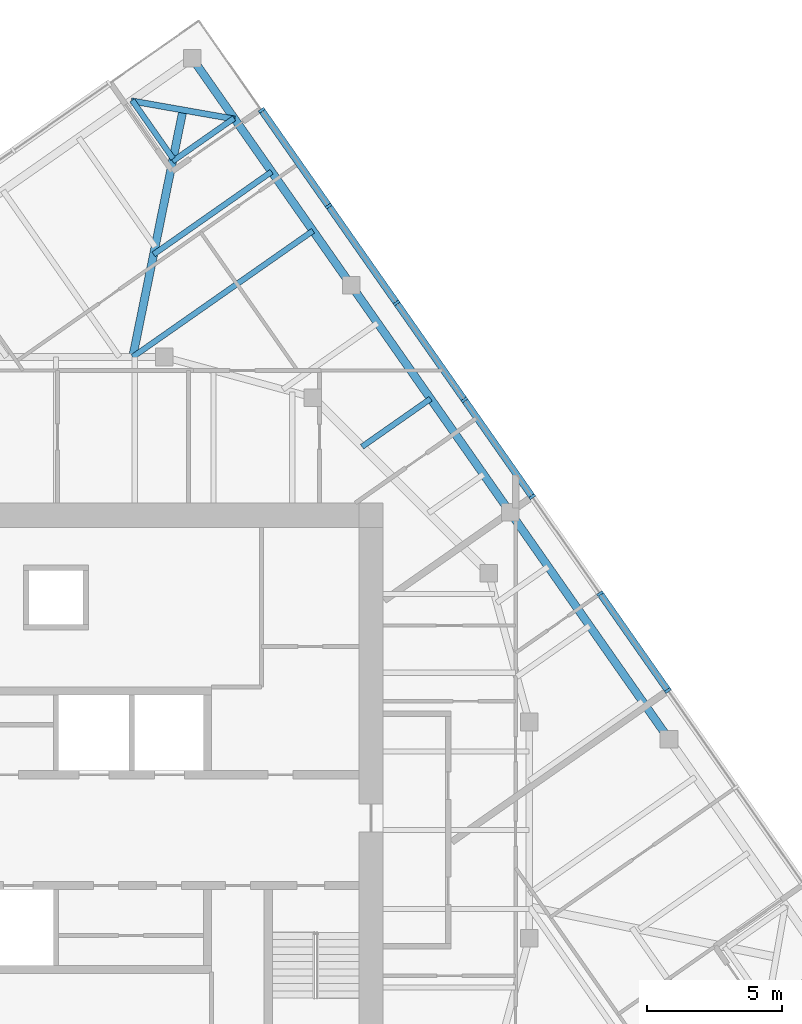
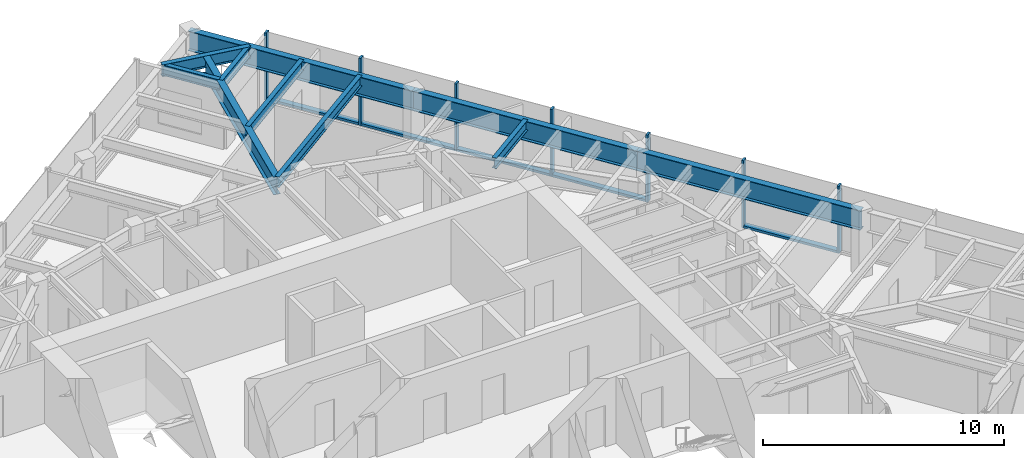
# One storey, part 5 of 12: 12 members, 10 beams, 1 element without a shape of its own.
"""IFC4 building model written with IfcOpenShell, lengths in metres."""

from ifc_helpers import new_model, si_unit, direction, frame, origin, origin_2d, place, context, subcontext, project, spatial, rectangle, i_section, extrude, material, material_profile, profile_set, type_object, element, aggregate, save


model = new_model("IFC4")

# Units and contexts
model_context = context("Model", 3, precision=1e-05, world=origin(), true_north=direction((0.0, 1.0)))
body_context = subcontext(model_context, "Body", "Model", "MODEL_VIEW")
ifc_project = project(units=[si_unit("LENGTHUNIT", "METRE"), si_unit("AREAUNIT", "SQUARE_METRE"), si_unit("VOLUMEUNIT", "CUBIC_METRE"), si_unit("PLANEANGLEUNIT", "RADIAN"), si_unit("MASSUNIT", "GRAM", prefix="KILO")], contexts=[model_context])

# Site, building, storey
site_placement = place(None, origin())
site = spatial("IfcSite", under=ifc_project, at=site_placement, CompositionType="ELEMENT")
building_placement = place(site_placement, origin())
building = spatial("IfcBuilding", under=site, at=building_placement, Name="Torsade Residences", CompositionType="ELEMENT")
storey_placement = place(building_placement, frame((0.0, 0.0, 240.39990234375)))
storey = spatial("IfcBuildingStorey", under=building, at=storey_placement, Name="L66", CompositionType="ELEMENT", Elevation=240.39990234375)

# Beams
ifc_material_1 = material(Name="Steel grade 300", Category="steel")
ifc_material_profile_1 = material_profile(ifc_material_1, i_section(OverallWidth=0.300048828125, OverallDepth=0.89990234375, WebThickness=0.011962890625, FlangeThickness=0.02490234375, at=origin_2d()), Name="900WB175")
ifc_profile_set_1 = profile_set([ifc_material_profile_1], Name="Steel grade 300")
beam_type_1 = type_object("IfcBeamType", Name="CORNER GIRDER 900WB175", PredefinedType="BEAM", material=ifc_profile_set_1)
beam_1_placement = place(storey_placement, frame((44.696533203125, 56.635986328125, 2.800048828125), z_axis=(-0.199584461589, -0.979880626756, 0.0), x_axis=(0.979880626756, -0.199584461589, 0.0)))
element("IfcBeam", 1, at=beam_1_placement, inside=storey, type_object=beam_type_1, Name="Corner girder 09 L67", PredefinedType="BEAM", context=body_context, shape_type="SweptSolid", body=[
    extrude(i_section(OverallWidth=0.300048828125, OverallDepth=0.89990234375, WebThickness=0.011962890625, FlangeThickness=0.02490234375, at=origin_2d()), origin(), (0.0, 0.0, 1.0), 9.323486328125),
])
ifc_material_2 = material(Name="Steel grade 300", Category="steel")
ifc_material_profile_2 = material_profile(ifc_material_2, i_section(OverallWidth=0.22802734375, OverallDepth=0.60205078125, WebThickness=0.010498046875, FlangeThickness=0.014892578125, FilletRadius=0.013916015625, at=origin_2d()), Name="610UB101")
ifc_profile_set_2 = profile_set([ifc_material_profile_2], Name="Steel grade 300")
beam_type_2 = type_object("IfcBeamType", Name="CORNER TRIMMER 610UB101", PredefinedType="BEAM", material=ifc_profile_set_2)
beam_2_placement = place(storey_placement, frame((42.78173828125, 56.9736328125, 2.94921875), z_axis=(0.984808196894, -0.173645660267, 0.0), x_axis=(0.173645660267, 0.984808196894, 0.0)))
element("IfcBeam", 2, at=beam_2_placement, inside=storey, type_object=beam_type_2, Name="Corner trimmer 09 L67", PredefinedType="BEAM", context=body_context, shape_type="SweptSolid", body=[
    extrude(i_section(OverallWidth=0.22802734375, OverallDepth=0.60205078125, WebThickness=0.010498046875, FlangeThickness=0.014892578125, FilletRadius=0.013916015625, at=origin_2d()), origin(), (0.0, 0.0, 1.0), 3.888916015625),
])
ifc_material_3 = material(Name="Steel grade 300", Category="steel")
ifc_material_profile_3 = material_profile(ifc_material_3, i_section(OverallWidth=0.300048828125, OverallDepth=1.0, WebThickness=0.01611328125, FlangeThickness=0.028076171875, at=origin_2d()), Name="1000WB215")
ifc_profile_set_3 = profile_set([ifc_material_profile_3], Name="Steel grade 300")
beam_type_3 = type_object("IfcBeamType", Name="EDGE BEAM 1000WB215", PredefinedType="SPANDREL", material=ifc_profile_set_3)
for number, where, z_axis, x_axis, name in (
    (3, (62.671875, 33.362060546875, 2.75), (-0.573579034377, 0.819150225126, 0.0), (-0.819150225126, -0.573579034377, 0.0), "Edge beam 06 L67"),
    (4, (56.792724609375, 41.75830078125, 2.75), (-0.573579034377, 0.819150225126, 0.0), (-0.819150225126, -0.573579034377, 0.0), "Edge beam 07 L67"),
):
    element("IfcBeam", number, at=place(storey_placement, frame(where, z_axis=z_axis, x_axis=x_axis)), inside=storey, type_object=beam_type_3, Name=name, PredefinedType="SPANDREL", context=body_context, shape_type="SweptSolid", body=[
        extrude(i_section(OverallWidth=0.300048828125, OverallDepth=1.0, WebThickness=0.01611328125, FlangeThickness=0.028076171875, at=origin_2d()), origin(), (0.0, 0.0, 1.0), 10.25),
    ])
beam_3_placement = place(storey_placement, frame((50.91357421875, 50.154541015625, 2.75), z_axis=(-0.573583825578, 0.819146870247, 0.0), x_axis=(-0.819146870247, -0.573583825578, 0.0)))
element("IfcBeam", 5, at=beam_3_placement, inside=storey, type_object=beam_type_3, Name="Edge beam 08 L67", PredefinedType="SPANDREL", context=body_context, shape_type="SweptSolid", body=[
    extrude(i_section(OverallWidth=0.300048828125, OverallDepth=1.0, WebThickness=0.01611328125, FlangeThickness=0.028076171875, at=origin_2d()), origin(), (0.0, 0.0, 1.0), 10.250244140625),
])

# Curtain wall, members
ifc_material_4 = material(Name="Aluminium and glass", Category="aluminium")
curtain_wall_type = type_object("IfcCurtainWallType", Name="FRITTED GLASS CURTAIN WALL HIGH ZONE", PredefinedType="NOTDEFINED", material=ifc_material_4)
curtain_wall_placement = place(storey_placement, origin())
curtain_wall = element("IfcCurtainWall", 6, at=curtain_wall_placement, inside=storey, type_object=curtain_wall_type, Name="Curtain wall L66 face 4", PredefinedType="NOTDEFINED")
ifc_material_5 = material(Name="Aluminium mullion", Category="aluminium")
ifc_material_profile_4 = material_profile(ifc_material_5, rectangle(XDim=0.25, YDim=0.10009765625, at=origin_2d()), Name="HIGH ZONE CURTAIN WALL MULLION 250x100")
ifc_profile_set_4 = profile_set([ifc_material_profile_4], Name="Aluminium mullion")
member_type_1 = type_object("IfcMemberType", Name="HIGH ZONE CURTAIN WALL MULLION 250x100", PredefinedType="MULLION", material=ifc_profile_set_4)
member_1_placement = place(storey_placement, frame((62.630615234375, 35.164306640625, 0.0), z_axis=(0.0, 0.0, 1.0), x_axis=(-0.819152029353, -0.573576457682, 0.0)))
member_1 = element("IfcMember", 7, at=member_1_placement, type_object=member_type_1, Name="Mullion 3", PredefinedType="MULLION", context=body_context, shape_type="SweptSolid", body=[
    extrude(rectangle(XDim=0.25, YDim=0.10009765625, at=origin_2d()), origin(), (0.0, 0.0, 1.0), 3.400146484375),
])
member_2_placement = place(storey_placement, frame((60.12109375, 38.748046875, 0.0), z_axis=(0.0, 0.0, 1.0), x_axis=(-0.819152029353, -0.573576457682, 0.0)))
member_2 = element("IfcMember", 8, at=member_2_placement, type_object=member_type_1, Name="Mullion 4", PredefinedType="MULLION", context=body_context, shape_type="SweptSolid", body=[
    extrude(rectangle(XDim=0.25, YDim=0.10009765625, at=origin_2d()), origin(), (0.0, 0.0, 1.0), 3.400146484375),
])
member_3_placement = place(storey_placement, frame((57.61181640625, 42.331787109375, 0.0), z_axis=(0.0, 0.0, 1.0), x_axis=(-0.819152029353, -0.573576457682, 0.0)))
member_3 = element("IfcMember", 9, at=member_3_placement, type_object=member_type_1, Name="Mullion 5", PredefinedType="MULLION", context=body_context, shape_type="SweptSolid", body=[
    extrude(rectangle(XDim=0.25, YDim=0.10009765625, at=origin_2d()), origin(), (0.0, 0.0, 1.0), 3.400146484375),
])
member_4_placement = place(storey_placement, frame((55.102294921875, 45.915771484375, 0.0), z_axis=(0.0, 0.0, 1.0), x_axis=(-0.819152029353, -0.573576457682, 0.0)))
member_4 = element("IfcMember", 10, at=member_4_placement, type_object=member_type_1, Name="Mullion 6", PredefinedType="MULLION", context=body_context, shape_type="SweptSolid", body=[
    extrude(rectangle(XDim=0.25, YDim=0.10009765625, at=origin_2d()), origin(), (0.0, 0.0, 1.0), 3.400146484375),
])
member_5_placement = place(storey_placement, frame((52.593017578125, 49.49951171875, 0.0), z_axis=(0.0, 0.0, 1.0), x_axis=(-0.819152029353, -0.573576457682, 0.0)))
member_5 = element("IfcMember", 11, at=member_5_placement, type_object=member_type_1, Name="Mullion 7", PredefinedType="MULLION", context=body_context, shape_type="SweptSolid", body=[
    extrude(rectangle(XDim=0.25, YDim=0.10009765625, at=origin_2d()), origin(), (0.0, 0.0, 1.0), 3.400146484375),
])
member_6_placement = place(storey_placement, frame((50.08349609375, 53.083251953125, 0.0), z_axis=(0.0, 0.0, 1.0), x_axis=(-0.819152029353, -0.573576457682, 0.0)))
member_6 = element("IfcMember", 12, at=member_6_placement, type_object=member_type_1, Name="Mullion 8", PredefinedType="MULLION", context=body_context, shape_type="SweptSolid", body=[
    extrude(rectangle(XDim=0.25, YDim=0.10009765625, at=origin_2d()), origin(), (0.0, 0.0, 1.0), 3.400146484375),
])
member_7_placement = place(storey_placement, frame((47.602783203125, 56.6259765625, 0.0), z_axis=(0.0, 0.0, 1.0), x_axis=(-0.819152029353, -0.573576457682, 0.0)))
member_7 = element("IfcMember", 13, at=member_7_placement, type_object=member_type_1, Name="Mullion 9", PredefinedType="MULLION", context=body_context, shape_type="SweptSolid", body=[
    extrude(rectangle(XDim=0.25, YDim=0.10009765625, at=origin_2d()), origin(), (0.0, 0.0, 1.0), 3.400146484375),
])
ifc_material_6 = material(Name="Aluminium transom", Category="aluminium")
ifc_material_profile_5 = material_profile(ifc_material_6, rectangle(XDim=0.25, YDim=0.1201171875, at=origin_2d()), Name="HIGH ZONE CURTAIN WALL TRANSOM 250x120")
ifc_profile_set_5 = profile_set([ifc_material_profile_5], Name="Aluminium transom")
member_type_2 = type_object("IfcMemberType", Name="HIGH ZONE CURTAIN WALL TRANSOM 250x120", PredefinedType="USERDEFINED", material=ifc_profile_set_5)
member_8_placement = place(storey_placement, frame((62.601806640625, 35.205322265625, 0.06005859375), z_axis=(-0.573573496219, 0.819154102984, 0.0), x_axis=(-0.819154102984, -0.573573496219, 0.0)))
member_8 = element("IfcMember", 14, at=member_8_placement, type_object=member_type_2, Name="Transom 3.1", ObjectType="TRANSOM", PredefinedType="USERDEFINED", context=body_context, shape_type="SweptSolid", body=[
    extrude(rectangle(XDim=0.25, YDim=0.1201171875, at=origin_2d()), origin(), (0.0, 0.0, 1.0), 4.27490234375),
])
member_9_placement = place(storey_placement, frame((57.5830078125, 42.372802734375, 0.06005859375), z_axis=(-0.573546663483, 0.81917289067, 0.0), x_axis=(-0.81917289067, -0.573546663483, 0.0)))
member_9 = element("IfcMember", 15, at=member_9_placement, type_object=member_type_2, Name="Transom 5.1", ObjectType="TRANSOM", PredefinedType="USERDEFINED", context=body_context, shape_type="SweptSolid", body=[
    extrude(rectangle(XDim=0.25, YDim=0.1201171875, at=origin_2d()), origin(), (0.0, 0.0, 1.0), 4.27490234375),
])
member_10_placement = place(storey_placement, frame((55.07373046875, 45.95654296875, 0.06005859375), z_axis=(-0.57358498433, 0.819146058863, 0.0), x_axis=(-0.819146058863, -0.57358498433, 0.0)))
member_10 = element("IfcMember", 16, at=member_10_placement, type_object=member_type_2, Name="Transom 6.1", ObjectType="TRANSOM", PredefinedType="USERDEFINED", context=body_context, shape_type="SweptSolid", body=[
    extrude(rectangle(XDim=0.25, YDim=0.1201171875, at=origin_2d()), origin(), (0.0, 0.0, 1.0), 4.275146484375),
])
member_11_placement = place(storey_placement, frame((52.564208984375, 49.54052734375, 0.06005859375), z_axis=(-0.573573496219, 0.819154102984, 0.0), x_axis=(-0.819154102984, -0.573573496219, 0.0)))
member_11 = element("IfcMember", 17, at=member_11_placement, type_object=member_type_2, Name="Transom 7.1", ObjectType="TRANSOM", PredefinedType="USERDEFINED", context=body_context, shape_type="SweptSolid", body=[
    extrude(rectangle(XDim=0.25, YDim=0.1201171875, at=origin_2d()), origin(), (0.0, 0.0, 1.0), 4.27490234375),
])
member_12_placement = place(storey_placement, frame((50.054931640625, 53.124267578125, 0.06005859375), z_axis=(-0.573570928023, 0.819155901234, 0.0), x_axis=(-0.819155901234, -0.573570928023, 0.0)))
member_12 = element("IfcMember", 18, at=member_12_placement, type_object=member_type_2, Name="Transom 8.1", ObjectType="TRANSOM", PredefinedType="USERDEFINED", context=body_context, shape_type="SweptSolid", body=[
    extrude(rectangle(XDim=0.25, YDim=0.1201171875, at=origin_2d()), origin(), (0.0, 0.0, 1.0), 4.22509765625),
])
aggregate(curtain_wall, [member_1, member_2, member_3, member_4, member_5, member_6, member_7, member_8, member_9, member_10, member_11, member_12])

# Beams
ifc_material_7 = material(Name="Steel grade 300", Category="steel")
ifc_material_profile_6 = material_profile(ifc_material_7, i_section(OverallWidth=0.208984375, OverallDepth=0.532958984375, WebThickness=0.01025390625, FlangeThickness=0.015625, FilletRadius=0.013916015625, at=origin_2d()), Name="530UB92.4")
ifc_profile_set_6 = profile_set([ifc_material_profile_6], Name="Steel grade 300")
beam_type_4 = type_object("IfcBeamType", Name="SECONDARY BEAM 530UB92.4", PredefinedType="JOIST", material=ifc_profile_set_6)
beam_4_placement = place(storey_placement, frame((53.85302734375, 45.95654296875, 2.983642578125), z_axis=(-0.819135534955, -0.573600013401, 0.0), x_axis=(0.573600013401, -0.819135534955, 0.0)))
element("IfcBeam", 19, at=beam_4_placement, inside=storey, type_object=beam_type_4, Name="Floor beam FE08 L67", PredefinedType="JOIST", context=body_context, shape_type="SweptSolid", body=[
    extrude(i_section(OverallWidth=0.208984375, OverallDepth=0.532958984375, WebThickness=0.01025390625, FlangeThickness=0.015625, FilletRadius=0.013916015625, at=origin_2d()), origin(), (0.0, 0.0, 1.0), 3.09423828125),
])
beam_5_placement = place(storey_placement, frame((49.50341796875, 52.16845703125, 2.983642578125), z_axis=(-0.819151588523, -0.573577087251, 0.0), x_axis=(0.573577087251, -0.819151588523, 0.0)))
element("IfcBeam", 20, at=beam_5_placement, inside=storey, type_object=beam_type_4, Name="Floor beam FE10 L67", PredefinedType="JOIST", context=body_context, shape_type="SweptSolid", body=[
    extrude(i_section(OverallWidth=0.208984375, OverallDepth=0.532958984375, WebThickness=0.01025390625, FlangeThickness=0.015625, FilletRadius=0.013916015625, at=origin_2d()), origin(), (0.0, 0.0, 1.0), 8.13916015625),
])
beam_6_placement = place(storey_placement, frame((47.973876953125, 54.352783203125, 2.983642578125), z_axis=(-0.819137197966, -0.573597638513, 0.0), x_axis=(0.573597638513, -0.819137197966, 0.0)))
element("IfcBeam", 21, at=beam_6_placement, inside=storey, type_object=beam_type_4, Name="Floor beam FE11 L67", PredefinedType="JOIST", context=body_context, shape_type="SweptSolid", body=[
    extrude(i_section(OverallWidth=0.208984375, OverallDepth=0.532958984375, WebThickness=0.01025390625, FlangeThickness=0.015625, FilletRadius=0.013916015625, at=origin_2d()), origin(), (0.0, 0.0, 1.0), 5.328369140625),
])
beam_7_placement = place(storey_placement, frame((46.587646484375, 56.332275390625, 2.983642578125), z_axis=(-0.819190669238, -0.573521270253, 0.0), x_axis=(0.573521270253, -0.819190669238, 0.0)))
element("IfcBeam", 22, at=beam_7_placement, inside=storey, type_object=beam_type_4, Name="Floor beam FE12 L67", PredefinedType="JOIST", context=body_context, shape_type="SweptSolid", body=[
    extrude(i_section(OverallWidth=0.208984375, OverallDepth=0.532958984375, WebThickness=0.01025390625, FlangeThickness=0.015625, FilletRadius=0.013916015625, at=origin_2d()), origin(), (0.0, 0.0, 1.0), 2.780517578125),
])
beam_8_placement = place(storey_placement, frame((42.815673828125, 56.99755859375, 2.983642578125), z_axis=(0.573592685254, -0.819140666445, 0.0), x_axis=(0.819140666445, 0.573592685254, 0.0)))
element("IfcBeam", 23, at=beam_8_placement, inside=storey, type_object=beam_type_4, Name="Floor beam FN01 L67", PredefinedType="JOIST", context=body_context, shape_type="SweptSolid", body=[
    extrude(i_section(OverallWidth=0.208984375, OverallDepth=0.532958984375, WebThickness=0.01025390625, FlangeThickness=0.015625, FilletRadius=0.013916015625, at=origin_2d()), origin(), (0.0, 0.0, 1.0), 2.639892578125),
])

save(model, "model.ifc")
